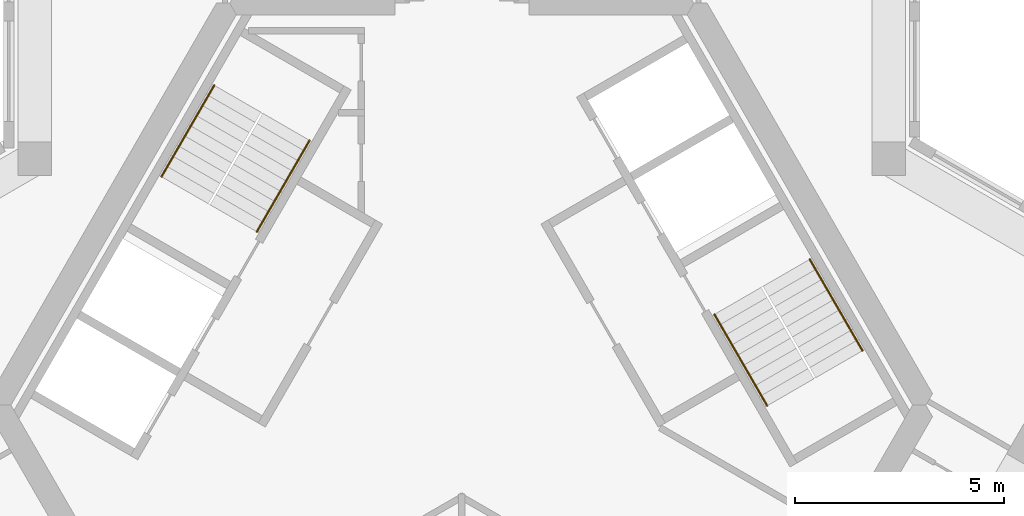
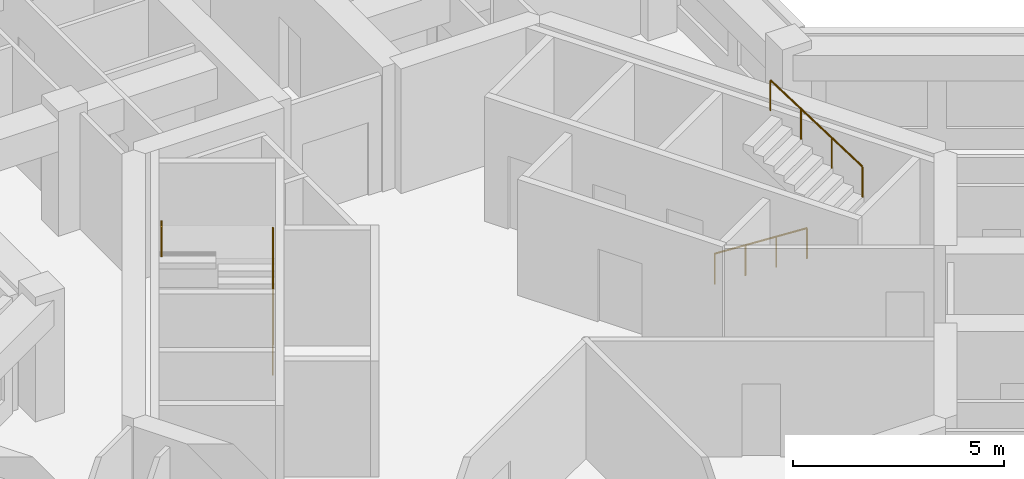
# One storey, part 14 of 14: 4 railings.
"""IFC4 building model written with IfcOpenShell, lengths in metres."""

from ifc_helpers import new_model, si_unit, direction, frame, origin, origin_2d, place, context, subcontext, project, spatial, circle, extrude, material, type_object, element, save


model = new_model("IFC4")

# Units and contexts
model_context = context("Model", 3, precision=1e-05, world=origin(), true_north=direction((0.0, 1.0)))
body_context = subcontext(model_context, "Body", "Model", "MODEL_VIEW")
ifc_project = project(units=[si_unit("LENGTHUNIT", "METRE"), si_unit("AREAUNIT", "SQUARE_METRE"), si_unit("VOLUMEUNIT", "CUBIC_METRE"), si_unit("PLANEANGLEUNIT", "RADIAN"), si_unit("MASSUNIT", "GRAM", prefix="KILO")], contexts=[model_context])

# Site, building, storey
site_placement = place(None, origin())
site = spatial("IfcSite", under=ifc_project, at=site_placement, CompositionType="ELEMENT")
building_placement = place(site_placement, origin())
building = spatial("IfcBuilding", under=site, at=building_placement, Name="Kosmar Iwan School Tower", CompositionType="ELEMENT")
storey_placement = place(building_placement, frame((0.0, 0.0, 281.800048828125)))
storey = spatial("IfcBuildingStorey", under=building, at=storey_placement, Name="L71", CompositionType="ELEMENT", Elevation=281.800048828125)

# Railings
ifc_material = material(Name="Black steel", Category="steel")
railing_type = type_object("IfcRailingType", Name="Stair handrail 900", PredefinedType="HANDRAIL", material=ifc_material)
railing_1_placement = place(storey_placement, frame((-4.89453125, 4.142333984375, 0.179931640625)))
element("IfcRailing", 1, at=railing_1_placement, inside=storey, type_object=railing_type, Name="Handrail ST2 flight 1", PredefinedType="HANDRAIL", context=body_context, shape_type="SweptSolid", body=[
    extrude(circle(Radius=0.02392578125, at=origin_2d()), frame((0.0, 0.0, 0.8759765625), z_axis=(0.420584145978, 0.728463801763, 0.540785970299), x_axis=(-0.866022637375, 0.500004791531, 0.0)), (0.0, 0.0, 1.0), 2.995849609375),
    extrude(circle(Radius=0.02099609375, at=origin_2d()), origin(), (0.0, 0.0, 1.0), 0.851806640625),
    extrude(circle(Radius=0.02099609375, at=origin_2d()), frame((0.419921875, 0.7275390625, 0.5400390625)), (0.0, 0.0, 1.0), 0.851806640625),
    extrude(circle(Radius=0.02099609375, at=origin_2d()), frame((0.840087890625, 1.454833984375, 1.080078125)), (0.0, 0.0, 1.0), 0.851806640625),
    extrude(circle(Radius=0.02099609375, at=origin_2d()), frame((1.260009765625, 2.182373046875, 1.6201171875)), (0.0, 0.0, 1.0), 0.851806640625),
])
railing_2_placement = place(storey_placement, frame((-5.912353515625, 7.6396484375, 1.97998046875)))
element("IfcRailing", 2, at=railing_2_placement, inside=storey, type_object=railing_type, Name="Handrail ST2 flight 2", PredefinedType="HANDRAIL", context=body_context, shape_type="SweptSolid", body=[
    extrude(circle(Radius=0.02392578125, at=origin_2d()), frame((0.0, 0.0, 0.8759765625), z_axis=(-0.42060268101, -0.72849590497, 0.54072830624), x_axis=(0.866022637375, -0.500004791531, 0.0)), (0.0, 0.0, 1.0), 2.99560546875),
    extrude(circle(Radius=0.02099609375, at=origin_2d()), origin(), (0.0, 0.0, 1.0), 0.851806640625),
    extrude(circle(Radius=0.02099609375, at=origin_2d()), frame((-0.419921875, -0.7275390625, 0.5400390625)), (0.0, 0.0, 1.0), 0.851806640625),
    extrude(circle(Radius=0.02099609375, at=origin_2d()), frame((-0.840087890625, -1.454833984375, 1.079833984375)), (0.0, 0.0, 1.0), 0.851806640625),
    extrude(circle(Radius=0.02099609375, at=origin_2d()), frame((-1.260009765625, -2.182373046875, 1.619873046875)), (0.0, 0.0, 1.0), 0.851806640625),
])
railing_3_placement = place(storey_placement, frame((6.03466796875, 2.167724609375, 0.179931640625)))
element("IfcRailing", 3, at=railing_3_placement, inside=storey, type_object=railing_type, Name="Handrail ST1 flight 1", PredefinedType="HANDRAIL", context=body_context, shape_type="SweptSolid", body=[
    extrude(circle(Radius=0.02392578125, at=origin_2d()), frame((0.0, 0.0, 0.8759765625), z_axis=(0.420584145978, -0.728463801763, 0.540785970299), x_axis=(0.866022637375, 0.500004791531, 0.0)), (0.0, 0.0, 1.0), 2.995849609375),
    extrude(circle(Radius=0.02099609375, at=origin_2d()), origin(), (0.0, 0.0, 1.0), 0.851806640625),
    extrude(circle(Radius=0.02099609375, at=origin_2d()), frame((0.419921875, -0.7275390625, 0.5400390625)), (0.0, 0.0, 1.0), 0.851806640625),
    extrude(circle(Radius=0.02099609375, at=origin_2d()), frame((0.840087890625, -1.454833984375, 1.080078125)), (0.0, 0.0, 1.0), 0.851806640625),
    extrude(circle(Radius=0.02099609375, at=origin_2d()), frame((1.260009765625, -2.182373046875, 1.6201171875)), (0.0, 0.0, 1.0), 0.851806640625),
])
railing_4_placement = place(storey_placement, frame((9.572265625, 1.30029296875, 1.97998046875)))
element("IfcRailing", 4, at=railing_4_placement, inside=storey, type_object=railing_type, Name="Handrail ST1 flight 2", PredefinedType="HANDRAIL", context=body_context, shape_type="SweptSolid", body=[
    extrude(circle(Radius=0.02392578125, at=origin_2d()), frame((0.0, 0.0, 0.8759765625), z_axis=(-0.42060268101, 0.72849590497, 0.54072830624), x_axis=(-0.866022637375, -0.500004791531, 0.0)), (0.0, 0.0, 1.0), 2.99560546875),
    extrude(circle(Radius=0.02099609375, at=origin_2d()), origin(), (0.0, 0.0, 1.0), 0.851806640625),
    extrude(circle(Radius=0.02099609375, at=origin_2d()), frame((-0.419921875, 0.7275390625, 0.5400390625)), (0.0, 0.0, 1.0), 0.851806640625),
    extrude(circle(Radius=0.02099609375, at=origin_2d()), frame((-0.840087890625, 1.454833984375, 1.079833984375)), (0.0, 0.0, 1.0), 0.851806640625),
    extrude(circle(Radius=0.02099609375, at=origin_2d()), frame((-1.260009765625, 2.182373046875, 1.619873046875)), (0.0, 0.0, 1.0), 0.851806640625),
])

save(model, "model.ifc")
